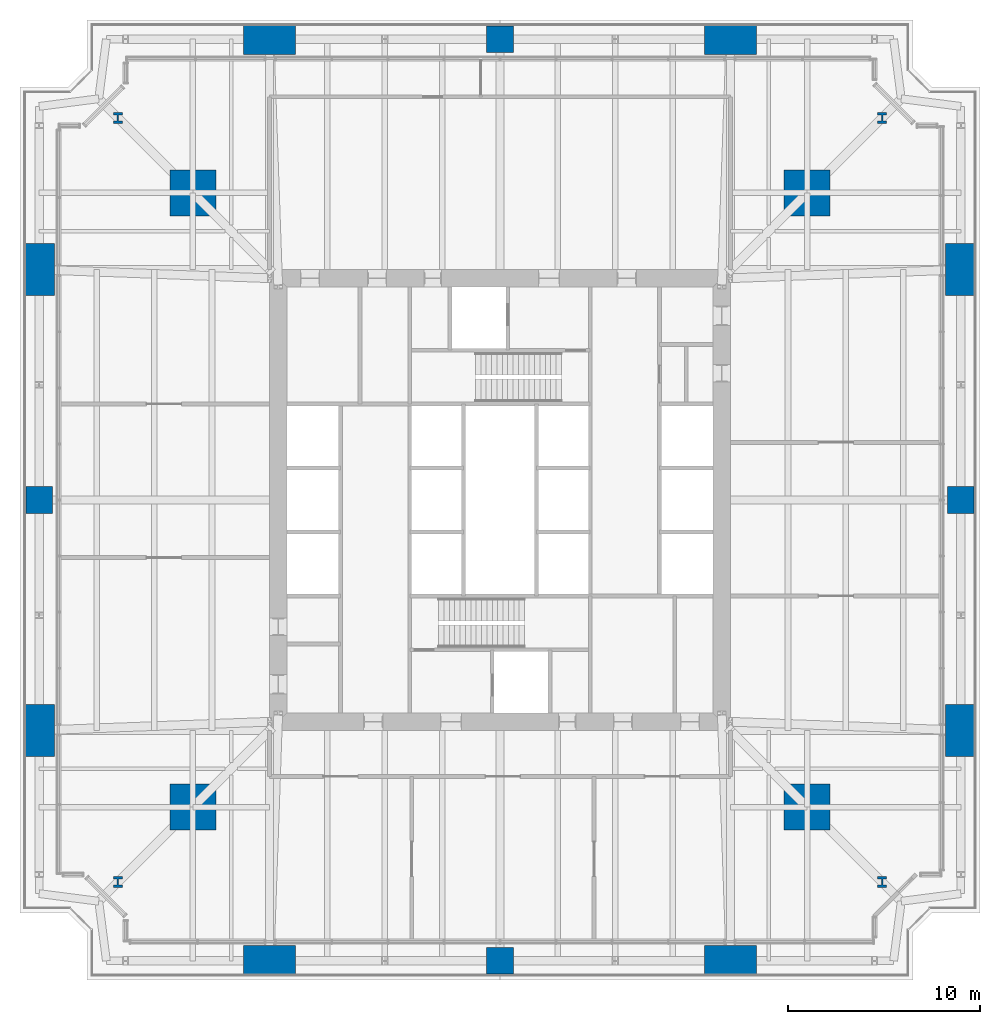
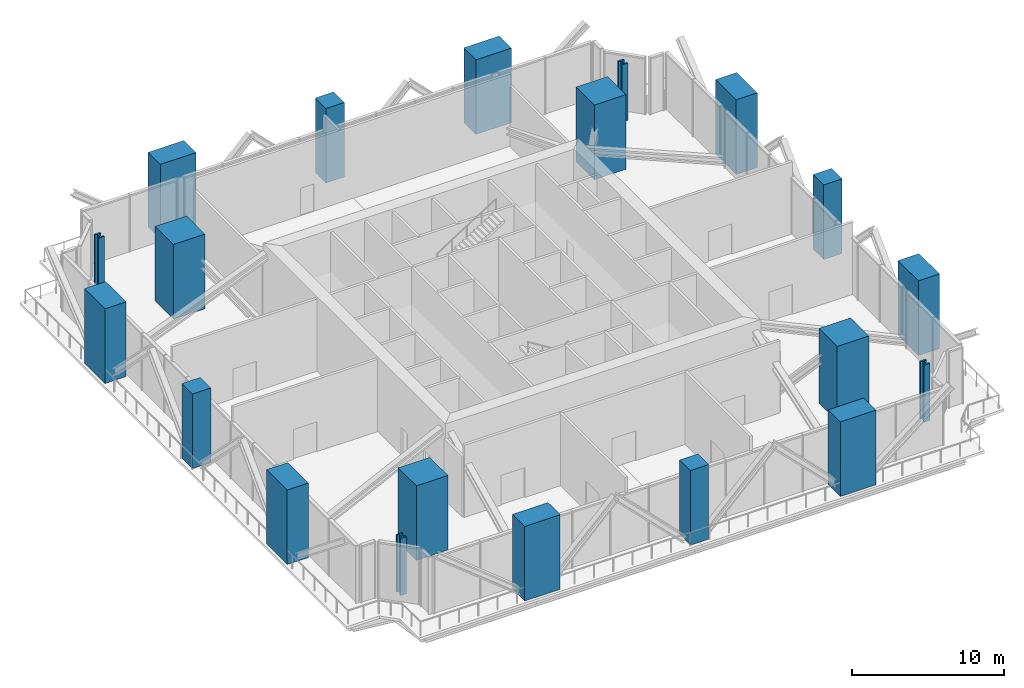
# One storey, part 1 of 13: 20 columns.
"""IFC4 building model written with IfcOpenShell, lengths in metres."""

from ifc_helpers import new_model, si_unit, direction, frame, origin, origin_2d, place, context, subcontext, project, spatial, rectangle, i_section, extrude, material, material_profile, profile_set, type_object, element, save


model = new_model("IFC4")

# Units and contexts
model_context = context("Model", 3, precision=1e-05, world=origin(), true_north=direction((0.0, 1.0)))
body_context = subcontext(model_context, "Body", "Model", "MODEL_VIEW")
ifc_project = project(units=[si_unit("LENGTHUNIT", "METRE"), si_unit("AREAUNIT", "SQUARE_METRE"), si_unit("VOLUMEUNIT", "CUBIC_METRE"), si_unit("PLANEANGLEUNIT", "RADIAN"), si_unit("MASSUNIT", "GRAM", prefix="KILO")], contexts=[model_context])

# Site, building, storey
site_placement = place(None, origin())
site = spatial("IfcSite", under=ifc_project, at=site_placement, CompositionType="ELEMENT")
building_placement = place(site_placement, origin())
building = spatial("IfcBuilding", under=site, at=building_placement, Name="Fenwick Lantern Interchange", CompositionType="ELEMENT")
storey_placement = place(building_placement, frame((0.0, 0.0, 91.0)))
storey = spatial("IfcBuildingStorey", under=building, at=storey_placement, Name="L21", CompositionType="ELEMENT", Elevation=91.0)

# Columns
ifc_material_1 = material(Name="Concrete f'c 70 MPa", Category="concrete")
ifc_material_profile_1 = material_profile(ifc_material_1, rectangle(XDim=2.39990234375, YDim=2.39990234375, at=origin_2d()), Name="RC2400X2400")
ifc_profile_set_1 = profile_set([ifc_material_profile_1], Name="Concrete f'c 70 MPa")
column_type_1 = type_object("IfcColumnType", Name="MEGA COLUMN RC2400X2400", PredefinedType="COLUMN", material=ifc_profile_set_1)
for number, where, z_axis, x_axis, name in (
    (1, (9.0, 9.0, 0.0), (0.0, 0.0, 1.0), (1.0, 0.0, 0.0), "L21/M1"),
    (2, (41.0, 9.0, 0.0), (0.0, 0.0, 1.0), (1.0, 0.0, 0.0), "L21/M2"),
    (3, (41.0, 41.0, 0.0), (0.0, 0.0, 1.0), (1.0, 0.0, 0.0), "L21/M3"),
    (4, (9.0, 41.0, 0.0), (0.0, 0.0, 1.0), (1.0, 0.0, 0.0), "L21/M4"),
):
    element("IfcColumn", number, at=place(storey_placement, frame(where, z_axis=z_axis, x_axis=x_axis)), inside=storey, type_object=column_type_1, Name=name, PredefinedType="COLUMN", context=body_context, shape_type="SweptSolid", body=[
        extrude(rectangle(XDim=2.39990234375, YDim=2.39990234375, at=origin_2d()), origin(), (0.0, 0.0, 1.0), 6.0),
    ])
ifc_material_profile_2 = material_profile(ifc_material_1, rectangle(XDim=1.39990234375, YDim=1.39990234375, at=origin_2d()), Name="RC1400X1400")
ifc_profile_set_2 = profile_set([ifc_material_profile_2], Name="Concrete f'c 70 MPa")
column_type_2 = type_object("IfcColumnType", Name="PERIMETER COLUMN RC1400X1400", PredefinedType="COLUMN", material=ifc_profile_set_2)
for number, where, z_axis, x_axis, name in (
    (5, (25.0, 1.0, 0.0), (0.0, 0.0, 1.0), (1.0, 0.0, 0.0), "L21/CS3"),
    (6, (49.0, 25.0, 0.0), (0.0, 0.0, 1.0), (1.0, 0.0, 0.0), "L21/CE3"),
    (7, (25.0, 49.0, 0.0), (0.0, 0.0, 1.0), (1.0, 0.0, 0.0), "L21/CN3"),
    (8, (1.0, 25.0, 0.0), (0.0, 0.0, 1.0), (1.0, 0.0, 0.0), "L21/CW3"),
):
    element("IfcColumn", number, at=place(storey_placement, frame(where, z_axis=z_axis, x_axis=x_axis)), inside=storey, type_object=column_type_2, Name=name, PredefinedType="COLUMN", context=body_context, shape_type="SweptSolid", body=[
        extrude(rectangle(XDim=1.39990234375, YDim=1.39990234375, at=origin_2d()), origin(), (0.0, 0.0, 1.0), 6.0),
    ])
ifc_material_profile_3 = material_profile(ifc_material_1, rectangle(XDim=1.60009765625, YDim=2.699951171875, at=origin_2d()), Name="RC1600X2700")
ifc_profile_set_3 = profile_set([ifc_material_profile_3], Name="Concrete f'c 70 MPa")
column_type_3 = type_object("IfcColumnType", Name="PERIMETER COLUMN RC1600X2700", PredefinedType="COLUMN", material=ifc_profile_set_3)
for number, where, z_axis, x_axis, name in (
    (9, (49.0, 13.0, 0.0), (0.0, 0.0, 1.0), (1.0, 0.0, 0.0), "L21/CE2"),
    (10, (49.0, 37.0, 0.0), (0.0, 0.0, 1.0), (1.0, 0.0, 0.0), "L21/CE4"),
    (11, (1.0, 37.0, 0.0), (0.0, 0.0, 1.0), (1.0, 0.0, 0.0), "L21/CW2"),
    (12, (1.0, 13.0, 0.0), (0.0, 0.0, 1.0), (1.0, 0.0, 0.0), "L21/CW4"),
):
    element("IfcColumn", number, at=place(storey_placement, frame(where, z_axis=z_axis, x_axis=x_axis)), inside=storey, type_object=column_type_3, Name=name, PredefinedType="COLUMN", context=body_context, shape_type="SweptSolid", body=[
        extrude(rectangle(XDim=1.60009765625, YDim=2.699951171875, at=origin_2d()), origin(), (0.0, 0.0, 1.0), 6.0),
    ])
ifc_material_profile_4 = material_profile(ifc_material_1, rectangle(XDim=2.699951171875, YDim=1.60009765625, at=origin_2d()), Name="RC2700X1600")
ifc_profile_set_4 = profile_set([ifc_material_profile_4], Name="Concrete f'c 70 MPa")
column_type_4 = type_object("IfcColumnType", Name="PERIMETER COLUMN RC2700X1600", PredefinedType="COLUMN", material=ifc_profile_set_4)
for number, where, z_axis, x_axis, name in (
    (13, (13.0, 1.0, 0.0), (0.0, 0.0, 1.0), (1.0, 0.0, 0.0), "L21/CS2"),
    (14, (37.0, 1.0, 0.0), (0.0, 0.0, 1.0), (1.0, 0.0, 0.0), "L21/CS4"),
    (15, (37.0, 49.0, 0.0), (0.0, 0.0, 1.0), (1.0, 0.0, 0.0), "L21/CN2"),
    (16, (13.0, 49.0, 0.0), (0.0, 0.0, 1.0), (1.0, 0.0, 0.0), "L21/CN4"),
):
    element("IfcColumn", number, at=place(storey_placement, frame(where, z_axis=z_axis, x_axis=x_axis)), inside=storey, type_object=column_type_4, Name=name, PredefinedType="COLUMN", context=body_context, shape_type="SweptSolid", body=[
        extrude(rectangle(XDim=2.699951171875, YDim=1.60009765625, at=origin_2d()), origin(), (0.0, 0.0, 1.0), 6.0),
    ])
ifc_material_2 = material(Name="Steel ASTM A992 Grade 50", Category="steel")
ifc_material_profile_5 = material_profile(ifc_material_2, i_section(OverallWidth=0.45458984375, OverallDepth=0.56884765625, WebThickness=0.077880859375, FlangeThickness=0.124755859375, at=origin_2d()), Name="W14X730")
ifc_profile_set_5 = profile_set([ifc_material_profile_5], Name="Steel ASTM A992 Grade 50")
column_type_5 = type_object("IfcColumnType", Name="PERIMETER COLUMN W14X730", PredefinedType="COLUMN", material=ifc_profile_set_5)
for number, where, z_axis, x_axis, name in (
    (17, (44.89990234375, 5.10009765625, 0.0), (0.0, 0.0, 1.0), (1.0, 0.0, 0.0), "L21/TPSR"),
    (18, (44.89990234375, 44.89990234375, 0.0), (0.0, 0.0, 1.0), (1.0, 0.0, 0.0), "L21/TPER"),
    (19, (5.10009765625, 44.89990234375, 0.0), (0.0, 0.0, 1.0), (1.0, 0.0, 0.0), "L21/TPNR"),
    (20, (5.10009765625, 5.10009765625, 0.0), (0.0, 0.0, 1.0), (1.0, 0.0, 0.0), "L21/TPWR"),
):
    element("IfcColumn", number, at=place(storey_placement, frame(where, z_axis=z_axis, x_axis=x_axis)), inside=storey, type_object=column_type_5, Name=name, PredefinedType="COLUMN", context=body_context, shape_type="SweptSolid", body=[
        extrude(i_section(OverallWidth=0.45458984375, OverallDepth=0.56884765625, WebThickness=0.077880859375, FlangeThickness=0.124755859375, at=origin_2d()), origin(), (0.0, 0.0, 1.0), 4.60009765625),
    ])

save(model, "model.ifc")
